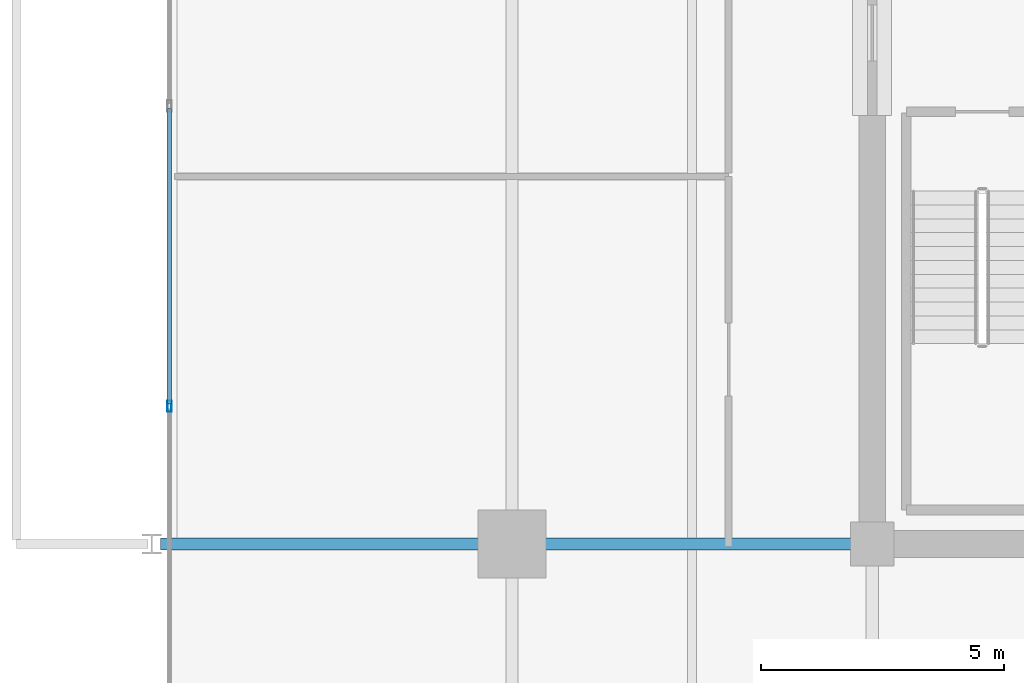
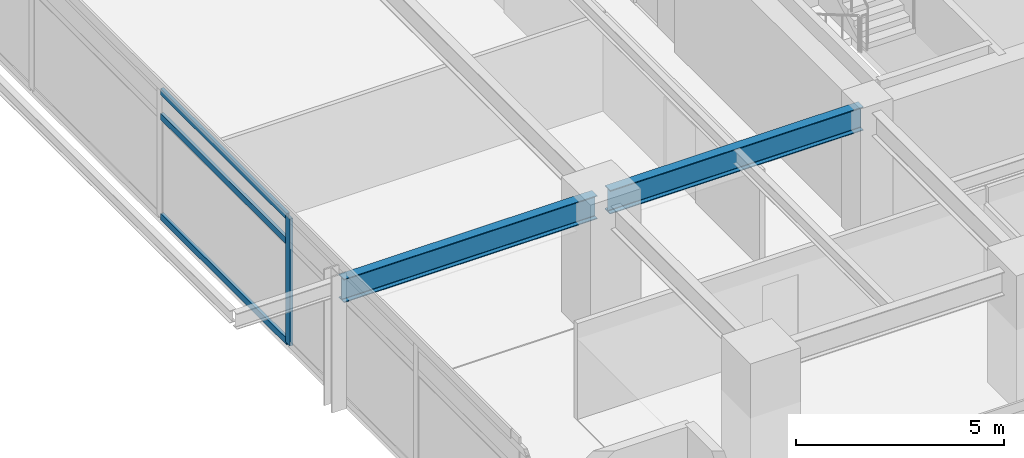
# One storey, part 6 of 21: 4 members, 2 beams, 1 element without a shape of its own.
"""IFC4 building model written with IfcOpenShell, lengths in metres."""

from ifc_helpers import new_model, si_unit, direction, frame, origin, origin_2d, place, context, subcontext, project, spatial, hollow_rectangle, i_section, extrude, material, material_profile, profile_set, type_object, element, aggregate, save


model = new_model("IFC4")

# Units and contexts
model_context = context("Model", 3, precision=1e-05, world=origin(), true_north=direction((0.0, 1.0)))
body_context = subcontext(model_context, "Body", "Model", "MODEL_VIEW")
ifc_project = project(units=[si_unit("LENGTHUNIT", "METRE"), si_unit("AREAUNIT", "SQUARE_METRE"), si_unit("VOLUMEUNIT", "CUBIC_METRE"), si_unit("PLANEANGLEUNIT", "RADIAN"), si_unit("MASSUNIT", "GRAM", prefix="KILO")], contexts=[model_context])

# Site, building, storey
site_placement = place(None, origin())
site = spatial("IfcSite", under=ifc_project, at=site_placement, CompositionType="ELEMENT")
building_placement = place(site_placement, origin())
building = spatial("IfcBuilding", under=site, at=building_placement, Name="Kovane Verandah Tower", CompositionType="ELEMENT")
storey_placement = place(building_placement, frame((0.0, 0.0, 217.199951171875)))
storey = spatial("IfcBuildingStorey", under=building, at=storey_placement, Name="L50", CompositionType="ELEMENT", Elevation=217.199951171875)

# Beams
ifc_material_1 = material(Name="Steel S355", Category="steel")
ifc_material_profile_1 = material_profile(ifc_material_1, i_section(OverallWidth=0.255859375, OverallDepth=0.69287109375, WebThickness=0.014404296875, FlangeThickness=0.023681640625, FilletRadius=0.01513671875, at=origin_2d()), Name="UB686x254x170")
ifc_profile_set_1 = profile_set([ifc_material_profile_1], Name="Steel S355")
beam_type = type_object("IfcBeamType", Name="BM-UB686x170", PredefinedType="BEAM", material=ifc_profile_set_1)
for number, where, z_axis, x_axis, name in (
    (1, (28.820068359375, 18.5, 3.428466796875), (-1.0, 0.0, 0.0), (0.0, -1.0, 0.0), "L50 Primary Tower Girder G-W1"),
    (2, (21.419921875, 18.5, 3.41357421875), (-1.0, 0.0, 0.0), (0.0, -1.0, 0.0), "L50 Primary Tower Girder G-VW1"),
):
    element("IfcBeam", number, at=place(storey_placement, frame(where, z_axis=z_axis, x_axis=x_axis)), inside=storey, type_object=beam_type, Name=name, PredefinedType="BEAM", context=body_context, shape_type="SweptSolid", body=[
        extrude(i_section(OverallWidth=0.255859375, OverallDepth=0.69287109375, WebThickness=0.014404296875, FlangeThickness=0.023681640625, FilletRadius=0.01513671875, at=origin_2d()), origin(), (0.0, 0.0, 1.0), 7.0400390625),
    ])

# Curtain wall, members
ifc_material_2 = material(Name="Champagne Anodised Aluminium Frame with Low-E Clear Laminated Glass", Category="aluminium")
curtain_wall_type = type_object("IfcCurtainWallType", Name="CW-SYS-03-MID", PredefinedType="NOTDEFINED", material=ifc_material_2)
curtain_wall_placement = place(storey_placement, origin())
curtain_wall = element("IfcCurtainWall", 3, at=curtain_wall_placement, inside=storey, type_object=curtain_wall_type, Name="L50 W Unitised Curtain Wall", PredefinedType="NOTDEFINED")
ifc_material_3 = material(Name="Champagne Anodised Aluminium 6063-T6", Category="aluminium")
ifc_material_profile_2 = material_profile(ifc_material_3, hollow_rectangle(XDim=0.0849609375, YDim=0.22998046875, WallThickness=0.00390625, at=origin_2d()), Name="AL85x230x4")
ifc_profile_set_2 = profile_set([ifc_material_profile_2], Name="Champagne Anodised Aluminium 6063-T6")
member_type_1 = type_object("IfcMemberType", Name="CW-MUL-85x230", PredefinedType="MULLION", material=ifc_profile_set_2)
member_1_placement = place(storey_placement, frame((14.5625, 21.32861328125, 0.02001953125), z_axis=(0.0, 0.0, 1.0), x_axis=(-1.0, 0.0, 0.0)))
member_1 = element("IfcMember", 4, at=member_1_placement, type_object=member_type_1, Name="L50 W Unitised Curtain Wall Mullion 5", PredefinedType="MULLION", context=body_context, shape_type="SweptSolid", body=[
    extrude(hollow_rectangle(XDim=0.0849609375, YDim=0.22998046875, WallThickness=0.00390625, at=origin_2d()), origin(), (0.0, 0.0, 1.0), 3.735107421875),
])
ifc_material_profile_3 = material_profile(ifc_material_3, hollow_rectangle(XDim=0.0849609375, YDim=0.18994140625, WallThickness=0.00390625, at=origin_2d()), Name="AL85x190x4")
ifc_profile_set_3 = profile_set([ifc_material_profile_3], Name="Champagne Anodised Aluminium 6063-T6")
member_type_2 = type_object("IfcMemberType", Name="CW-TRN-85x190", PredefinedType="USERDEFINED", material=ifc_profile_set_3)
member_2_placement = place(storey_placement, frame((14.5625, 27.449951171875, 0.050048828125), z_axis=(0.0, -1.0, 0.0), x_axis=(1.0, 0.0, 0.0)))
member_2 = element("IfcMember", 5, at=member_2_placement, type_object=member_type_2, Name="L50 W Unitised Curtain Wall Transom TB Bay 4", ObjectType="TRANSOM", PredefinedType="USERDEFINED", context=body_context, shape_type="SweptSolid", body=[
    extrude(hollow_rectangle(XDim=0.0849609375, YDim=0.18994140625, WallThickness=0.00390625, at=origin_2d()), origin(), (0.0, 0.0, 1.0), 6.0712890625),
])
member_3_placement = place(storey_placement, frame((14.5625, 27.449951171875, 2.9951171875), z_axis=(0.0, -1.0, 0.0), x_axis=(1.0, 0.0, 0.0)))
member_3 = element("IfcMember", 6, at=member_3_placement, type_object=member_type_2, Name="L50 W Unitised Curtain Wall Transom TM Bay 4", ObjectType="TRANSOM", PredefinedType="USERDEFINED", context=body_context, shape_type="SweptSolid", body=[
    extrude(hollow_rectangle(XDim=0.0849609375, YDim=0.18994140625, WallThickness=0.00390625, at=origin_2d()), origin(), (0.0, 0.0, 1.0), 6.0712890625),
])
member_4_placement = place(storey_placement, frame((14.5625, 27.449951171875, 3.72509765625), z_axis=(0.0, -1.0, 0.0), x_axis=(1.0, 0.0, 0.0)))
member_4 = element("IfcMember", 7, at=member_4_placement, type_object=member_type_2, Name="L50 W Unitised Curtain Wall Transom TT Bay 4", ObjectType="TRANSOM", PredefinedType="USERDEFINED", context=body_context, shape_type="SweptSolid", body=[
    extrude(hollow_rectangle(XDim=0.0849609375, YDim=0.18994140625, WallThickness=0.00390625, at=origin_2d()), origin(), (0.0, 0.0, 1.0), 6.0712890625),
])
aggregate(curtain_wall, [member_1, member_2, member_3, member_4])

save(model, "model.ifc")
